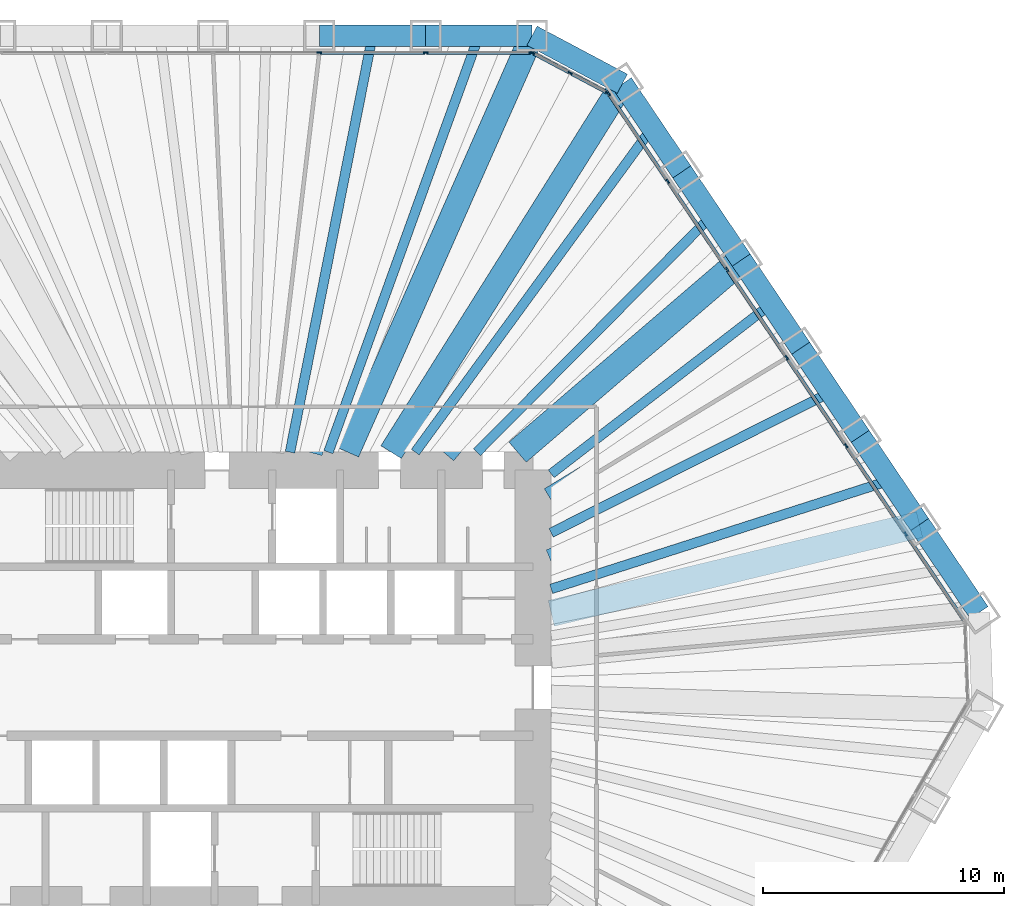
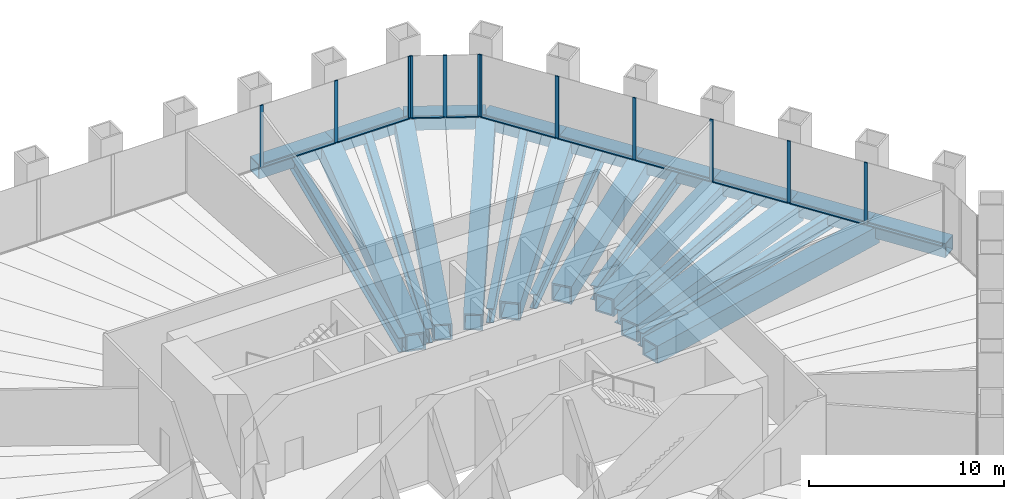
# One storey, part 7 of 13: 24 beams, 22 members, 3 elements without a shape of their own.
"""IFC4 building model written with IfcOpenShell, lengths in metres."""

from ifc_helpers import new_model, si_unit, direction, frame, origin, origin_2d, place, context, subcontext, project, spatial, rectangle, hollow_rectangle, i_section, extrude, material, material_profile, profile_set, type_object, element, aggregate, save


model = new_model("IFC4")

# Units and contexts
model_context = context("Model", 3, precision=1e-05, world=origin(), true_north=direction((0.0, 1.0)))
body_context = subcontext(model_context, "Body", "Model", "MODEL_VIEW")
ifc_project = project(units=[si_unit("LENGTHUNIT", "METRE"), si_unit("AREAUNIT", "SQUARE_METRE"), si_unit("VOLUMEUNIT", "CUBIC_METRE"), si_unit("PLANEANGLEUNIT", "RADIAN"), si_unit("MASSUNIT", "GRAM", prefix="KILO")], contexts=[model_context])

# Site, building, storey
site_placement = place(None, origin())
site = spatial("IfcSite", under=ifc_project, at=site_placement, CompositionType="ELEMENT")
building_placement = place(site_placement, origin())
building = spatial("IfcBuilding", under=site, at=building_placement, Name="Qingtian Harvest Tower", CompositionType="ELEMENT")
storey_placement = place(building_placement, frame((0.0, 0.0, 92.0)))
storey = spatial("IfcBuildingStorey", under=building, at=storey_placement, Name="L18", CompositionType="ELEMENT", Elevation=92.0)

# Beams
ifc_material_1 = material(Name="Steel SN490B", Category="steel")
ifc_material_profile_1 = material_profile(ifc_material_1, i_section(OverallWidth=0.39990234375, OverallDepth=0.89990234375, WebThickness=0.01904296875, FlangeThickness=0.035888671875, at=origin_2d()), Name="H900x400x19x36")
ifc_profile_set_1 = profile_set([ifc_material_profile_1], Name="Steel SN490B")
beam_type_1 = type_object("IfcBeamType", Name="Floor joist J4 H900x400x19x36", PredefinedType="JOIST", material=ifc_profile_set_1)
beam_1_placement = place(storey_placement, frame((5.349365234375, 27.0, -0.64990234375), z_axis=(-0.19435104803, -0.980932041545, 0.0), x_axis=(0.980932041545, -0.19435104803, 0.0)))
element("IfcBeam", 1, at=beam_1_placement, inside=storey, type_object=beam_type_1, Name="Floor joist J4 N4", PredefinedType="JOIST", context=body_context, shape_type="SweptSolid", body=[
    extrude(i_section(OverallWidth=0.39990234375, OverallDepth=0.89990234375, WebThickness=0.01904296875, FlangeThickness=0.035888671875, at=origin_2d()), origin(), (0.0, 0.0, 1.0), 17.585205078125),
])
beam_2_placement = place(storey_placement, frame((9.75390625, 27.0, -0.64990234375), z_axis=(-0.339766141765, -0.940509951521, 0.0), x_axis=(0.940509951521, -0.339766141765, 0.0)))
element("IfcBeam", 2, at=beam_2_placement, inside=storey, type_object=beam_type_1, Name="Floor joist J4 N5", PredefinedType="JOIST", context=body_context, shape_type="SweptSolid", body=[
    extrude(i_section(OverallWidth=0.39990234375, OverallDepth=0.89990234375, WebThickness=0.01904296875, FlangeThickness=0.035888671875, at=origin_2d()), origin(), (0.0, 0.0, 1.0), 18.341064453125),
])
beam_3_placement = place(storey_placement, frame((16.9296875, 23.1845703125, -0.64990234375), z_axis=(-0.589722175422, -0.80760618857, 0.0), x_axis=(0.80760618857, -0.589722175422, 0.0)))
element("IfcBeam", 3, at=beam_3_placement, inside=storey, type_object=beam_type_1, Name="Floor joist J4 NE0", PredefinedType="JOIST", context=body_context, shape_type="SweptSolid", body=[
    extrude(i_section(OverallWidth=0.39990234375, OverallDepth=0.89990234375, WebThickness=0.01904296875, FlangeThickness=0.035888671875, at=origin_2d()), origin(), (0.0, 0.0, 1.0), 16.635009765625),
])
beam_4_placement = place(storey_placement, frame((19.392822265625, 19.532958984375, -0.64990234375), z_axis=(-0.704560879039, -0.709643549768, 0.0), x_axis=(0.709643549768, -0.704560879039, 0.0)))
element("IfcBeam", 4, at=beam_4_placement, inside=storey, type_object=beam_type_1, Name="Floor joist J4 NE1", PredefinedType="JOIST", context=body_context, shape_type="SweptSolid", body=[
    extrude(i_section(OverallWidth=0.39990234375, OverallDepth=0.89990234375, WebThickness=0.01904296875, FlangeThickness=0.035888671875, at=origin_2d()), origin(), (0.0, 0.0, 1.0), 13.78564453125),
])
beam_5_placement = place(storey_placement, frame((21.855712890625, 15.88134765625, -0.64990234375), z_axis=(-0.79149450594, -0.611176281499, 0.0), x_axis=(0.611176281499, -0.79149450594, 0.0)))
element("IfcBeam", 5, at=beam_5_placement, inside=storey, type_object=beam_type_1, Name="Floor joist J4 NE2", PredefinedType="JOIST", context=body_context, shape_type="SweptSolid", body=[
    extrude(i_section(OverallWidth=0.39990234375, OverallDepth=0.89990234375, WebThickness=0.01904296875, FlangeThickness=0.035888671875, at=origin_2d()), origin(), (0.0, 0.0, 1.0), 11.50439453125),
])
beam_6_placement = place(storey_placement, frame((24.31884765625, 12.229736328125, -0.64990234375), z_axis=(-0.893391632689, -0.449278744924, 0.0), x_axis=(0.449278744924, -0.893391632689, 0.0)))
element("IfcBeam", 6, at=beam_6_placement, inside=storey, type_object=beam_type_1, Name="Floor joist J4 NE3", PredefinedType="JOIST", context=body_context, shape_type="SweptSolid", body=[
    extrude(i_section(OverallWidth=0.39990234375, OverallDepth=0.89990234375, WebThickness=0.01904296875, FlangeThickness=0.035888671875, at=origin_2d()), origin(), (0.0, 0.0, 1.0), 12.949462890625),
])
beam_7_placement = place(storey_placement, frame((26.78173828125, 8.578125, -0.64990234375), z_axis=(-0.952340804978, -0.305036048976, 0.0), x_axis=(0.305036048976, -0.952340804978, 0.0)))
element("IfcBeam", 7, at=beam_7_placement, inside=storey, type_object=beam_type_1, Name="Floor joist J4 NE4", PredefinedType="JOIST", context=body_context, shape_type="SweptSolid", body=[
    extrude(i_section(OverallWidth=0.39990234375, OverallDepth=0.89990234375, WebThickness=0.01904296875, FlangeThickness=0.035888671875, at=origin_2d()), origin(), (0.0, 0.0, 1.0), 14.73388671875),
])

# Curtain wall, members
ifc_material_2 = material(Name="Bronze-anodised aluminium curtain wall", Category="aluminium")
curtain_wall_type = type_object("IfcCurtainWallType", Name="Curtain wall CW2 farm reception", PredefinedType="USERDEFINED", material=ifc_material_2)
curtain_wall_1_placement = place(storey_placement, origin())
curtain_wall_1 = element("IfcCurtainWall", 8, at=curtain_wall_1_placement, inside=storey, type_object=curtain_wall_type, Name="Curtain wall CW2 L18 N0-5", ObjectType="RECESSED CURTAIN WALL", PredefinedType="USERDEFINED")
ifc_material_3 = material(Name="Bronze-anodised aluminium mullion", Category="aluminium")
ifc_material_profile_2 = material_profile(ifc_material_3, rectangle(XDim=0.06494140625, YDim=0.199951171875, at=origin_2d()), Name="AL 65x200")
ifc_profile_set_2 = profile_set([ifc_material_profile_2], Name="Bronze-anodised aluminium mullion")
member_type_1 = type_object("IfcMemberType", Name="Mullion CWM 65x200", PredefinedType="MULLION", material=ifc_profile_set_2)
member_1_placement = place(storey_placement, frame((3.14697265625, 26.300048828125, 0.0), z_axis=(0.0, 0.0, 1.0), x_axis=(0.0, 1.0, 0.0)))
member_1 = element("IfcMember", 9, at=member_1_placement, type_object=member_type_1, Name="CW2 mullion 5", PredefinedType="MULLION", context=body_context, shape_type="SweptSolid", body=[
    extrude(rectangle(XDim=0.06494140625, YDim=0.199951171875, at=origin_2d()), origin(), (0.0, 0.0, 1.0), 3.89990234375),
])
member_2_placement = place(storey_placement, frame((7.551513671875, 26.300048828125, 0.0), z_axis=(0.0, 0.0, 1.0), x_axis=(0.0, 1.0, 0.0)))
member_2 = element("IfcMember", 10, at=member_2_placement, type_object=member_type_1, Name="CW2 mullion 6", PredefinedType="MULLION", context=body_context, shape_type="SweptSolid", body=[
    extrude(rectangle(XDim=0.06494140625, YDim=0.199951171875, at=origin_2d()), origin(), (0.0, 0.0, 1.0), 3.89990234375),
])
member_3_placement = place(storey_placement, frame((11.923583984375, 26.300048828125, 0.0), z_axis=(0.0, 0.0, 1.0), x_axis=(0.0, 1.0, 0.0)))
member_3 = element("IfcMember", 11, at=member_3_placement, type_object=member_type_1, Name="CW2 mullion 7", PredefinedType="MULLION", context=body_context, shape_type="SweptSolid", body=[
    extrude(rectangle(XDim=0.06494140625, YDim=0.199951171875, at=origin_2d()), origin(), (0.0, 0.0, 1.0), 3.89990234375),
])

curtain_wall_2_placement = place(storey_placement, origin())
curtain_wall_2 = element("IfcCurtainWall", 12, at=curtain_wall_2_placement, inside=storey, type_object=curtain_wall_type, Name="Curtain wall CW2 L18 NC", ObjectType="RECESSED CURTAIN WALL", PredefinedType="USERDEFINED")
member_4_placement = place(storey_placement, frame((11.98486328125, 26.28466796875, 0.0), z_axis=(0.0, 0.0, 1.0), x_axis=(0.469471562786, 0.882947592859, 0.0)))
member_4 = element("IfcMember", 13, at=member_4_placement, type_object=member_type_1, Name="CW2 mullion 1", PredefinedType="MULLION", context=body_context, shape_type="SweptSolid", body=[
    extrude(rectangle(XDim=0.06494140625, YDim=0.199951171875, at=origin_2d()), origin(), (0.0, 0.0, 1.0), 3.89990234375),
])
member_5_placement = place(storey_placement, frame((13.537109375, 25.45947265625, 0.0), z_axis=(0.0, 0.0, 1.0), x_axis=(0.469471562786, 0.882947592859, 0.0)))
member_5 = element("IfcMember", 14, at=member_5_placement, type_object=member_type_1, Name="CW2 mullion 2", PredefinedType="MULLION", context=body_context, shape_type="SweptSolid", body=[
    extrude(rectangle(XDim=0.06494140625, YDim=0.199951171875, at=origin_2d()), origin(), (0.0, 0.0, 1.0), 3.89990234375),
])
member_6_placement = place(storey_placement, frame((15.089111328125, 24.634033203125, 0.0), z_axis=(0.0, 0.0, 1.0), x_axis=(0.469471562786, 0.882947592859, 0.0)))
member_6 = element("IfcMember", 15, at=member_6_placement, type_object=member_type_1, Name="CW2 mullion 3", PredefinedType="MULLION", context=body_context, shape_type="SweptSolid", body=[
    extrude(rectangle(XDim=0.06494140625, YDim=0.199951171875, at=origin_2d()), origin(), (0.0, 0.0, 1.0), 3.89990234375),
])

curtain_wall_3_placement = place(storey_placement, origin())
curtain_wall_3 = element("IfcCurtainWall", 16, at=curtain_wall_3_placement, inside=storey, type_object=curtain_wall_type, Name="Curtain wall CW2 L18 NE0-5", ObjectType="RECESSED CURTAIN WALL", PredefinedType="USERDEFINED")
member_7_placement = place(storey_placement, frame((15.135986328125, 24.592041015625, 0.0), z_axis=(0.0, 0.0, 1.0), x_axis=(0.829037572555, 0.559192903471, 0.0)))
member_7 = element("IfcMember", 17, at=member_7_placement, type_object=member_type_1, Name="CW2 mullion 1", PredefinedType="MULLION", context=body_context, shape_type="SweptSolid", body=[
    extrude(rectangle(XDim=0.06494140625, YDim=0.199951171875, at=origin_2d()), origin(), (0.0, 0.0, 1.0), 3.89990234375),
])
member_8_placement = place(storey_placement, frame((17.580810546875, 20.96728515625, 0.0), z_axis=(0.0, 0.0, 1.0), x_axis=(0.829037572555, 0.559192903471, 0.0)))
member_8 = element("IfcMember", 18, at=member_8_placement, type_object=member_type_1, Name="CW2 mullion 2", PredefinedType="MULLION", context=body_context, shape_type="SweptSolid", body=[
    extrude(rectangle(XDim=0.06494140625, YDim=0.199951171875, at=origin_2d()), origin(), (0.0, 0.0, 1.0), 3.89990234375),
])
member_9_placement = place(storey_placement, frame((20.0439453125, 17.315673828125, 0.0), z_axis=(0.0, 0.0, 1.0), x_axis=(0.829037572555, 0.559192903471, 0.0)))
member_9 = element("IfcMember", 19, at=member_9_placement, type_object=member_type_1, Name="CW2 mullion 3", PredefinedType="MULLION", context=body_context, shape_type="SweptSolid", body=[
    extrude(rectangle(XDim=0.06494140625, YDim=0.199951171875, at=origin_2d()), origin(), (0.0, 0.0, 1.0), 3.89990234375),
])
member_10_placement = place(storey_placement, frame((22.507080078125, 13.6640625, 0.0), z_axis=(0.0, 0.0, 1.0), x_axis=(0.829037572555, 0.559192903471, 0.0)))
member_10 = element("IfcMember", 20, at=member_10_placement, type_object=member_type_1, Name="CW2 mullion 4", PredefinedType="MULLION", context=body_context, shape_type="SweptSolid", body=[
    extrude(rectangle(XDim=0.06494140625, YDim=0.199951171875, at=origin_2d()), origin(), (0.0, 0.0, 1.0), 3.89990234375),
])
member_11_placement = place(storey_placement, frame((24.969970703125, 10.012451171875, 0.0), z_axis=(0.0, 0.0, 1.0), x_axis=(0.829037572555, 0.559192903471, 0.0)))
member_11 = element("IfcMember", 21, at=member_11_placement, type_object=member_type_1, Name="CW2 mullion 5", PredefinedType="MULLION", context=body_context, shape_type="SweptSolid", body=[
    extrude(rectangle(XDim=0.06494140625, YDim=0.199951171875, at=origin_2d()), origin(), (0.0, 0.0, 1.0), 3.89990234375),
])
member_12_placement = place(storey_placement, frame((27.43310546875, 6.36083984375, 0.0), z_axis=(0.0, 0.0, 1.0), x_axis=(0.829037572555, 0.559192903471, 0.0)))
member_12 = element("IfcMember", 22, at=member_12_placement, type_object=member_type_1, Name="CW2 mullion 6", PredefinedType="MULLION", context=body_context, shape_type="SweptSolid", body=[
    extrude(rectangle(XDim=0.06494140625, YDim=0.199951171875, at=origin_2d()), origin(), (0.0, 0.0, 1.0), 3.89990234375),
])

# Beams
ifc_material_4 = material(Name="Steel SM570MC", Category="steel")
ifc_material_profile_3 = material_profile(ifc_material_4, hollow_rectangle(XDim=1.0, YDim=1.0, WallThickness=0.080078125, at=origin_2d()), Name="BOX1000x1000x80")
ifc_profile_set_3 = profile_set([ifc_material_profile_3], Name="Steel SM570MC")
beam_type_2 = type_object("IfcBeamType", Name="Transfer corner beam FB11 BOX1000x1000x80", PredefinedType="BEAM", material=ifc_profile_set_3)
beam_8_placement = place(storey_placement, frame((11.9560546875, 27.0, -0.699951171875), z_axis=(-0.404898955654, -0.914361436036, 0.0), x_axis=(0.914361436036, -0.404898955654, 0.0)))
element("IfcBeam", 23, at=beam_8_placement, inside=storey, type_object=beam_type_2, Name="Floor beam FB11 N6", PredefinedType="BEAM", context=body_context, shape_type="SweptSolid", body=[
    extrude(hollow_rectangle(XDim=1.0, YDim=1.0, WallThickness=0.080078125, at=origin_2d()), origin(), (0.0, 0.0, 1.0), 18.86572265625),
])
beam_9_placement = place(storey_placement, frame((15.6982421875, 25.01025390625, -0.699951171875), z_axis=(-0.531622796942, -0.846981228701, 0.0), x_axis=(0.846981228701, -0.531622796942, 0.0)))
element("IfcBeam", 24, at=beam_9_placement, inside=storey, type_object=beam_type_2, Name="Floor beam FB11 NE0", PredefinedType="BEAM", context=body_context, shape_type="SweptSolid", body=[
    extrude(hollow_rectangle(XDim=1.0, YDim=1.0, WallThickness=0.080078125, at=origin_2d()), origin(), (0.0, 0.0, 1.0), 18.017333984375),
])
ifc_material_5 = material(Name="Steel SM570MC", Category="steel")
ifc_material_profile_4 = material_profile(ifc_material_5, hollow_rectangle(XDim=1.10009765625, YDim=1.10009765625, WallThickness=0.10009765625, at=origin_2d()), Name="BOX1100x1100x100")
ifc_profile_set_4 = profile_set([ifc_material_profile_4], Name="Steel SM570MC")
beam_type_3 = type_object("IfcBeamType", Name="Transfer floor beam FB9 BOX1100x1100x100", PredefinedType="BEAM", material=ifc_profile_set_4)
beam_10_placement = place(storey_placement, frame((7.551513671875, 27.0, -0.75), z_axis=(-0.269343258019, -0.963044240604, 0.0), x_axis=(0.963044240604, -0.269343258019, 0.0)))
element("IfcBeam", 25, at=beam_10_placement, inside=storey, type_object=beam_type_3, Name="Floor beam FB9 N5", PredefinedType="BEAM", context=body_context, shape_type="SweptSolid", body=[
    extrude(hollow_rectangle(XDim=1.10009765625, YDim=1.10009765625, WallThickness=0.10009765625, at=origin_2d()), origin(), (0.0, 0.0, 1.0), 17.911865234375),
])
beam_11_placement = place(storey_placement, frame((18.1611328125, 21.358642578125, -0.75), z_axis=(-0.647781887327, -0.761825850474, 0.0), x_axis=(0.761825850474, -0.647781887327, 0.0)))
element("IfcBeam", 26, at=beam_11_placement, inside=storey, type_object=beam_type_3, Name="Floor beam FB9 NE1", PredefinedType="BEAM", context=body_context, shape_type="SweptSolid", body=[
    extrude(hollow_rectangle(XDim=1.10009765625, YDim=1.10009765625, WallThickness=0.10009765625, at=origin_2d()), origin(), (0.0, 0.0, 1.0), 15.238037109375),
])
beam_12_placement = place(storey_placement, frame((20.624267578125, 17.70703125, -0.75), z_axis=(-0.75873153072, -0.651403457384, 0.0), x_axis=(0.651403457384, -0.75873153072, 0.0)))
element("IfcBeam", 27, at=beam_12_placement, inside=storey, type_object=beam_type_3, Name="Floor beam FB9 NE2", PredefinedType="BEAM", context=body_context, shape_type="SweptSolid", body=[
    extrude(hollow_rectangle(XDim=1.10009765625, YDim=1.10009765625, WallThickness=0.10009765625, at=origin_2d()), origin(), (0.0, 0.0, 1.0), 12.21533203125),
])
beam_13_placement = place(storey_placement, frame((23.08740234375, 14.0556640625, -0.75), z_axis=(-0.854157261259, -0.520014781558, 0.0), x_axis=(0.520014781558, -0.854157261259, 0.0)))
element("IfcBeam", 28, at=beam_13_placement, inside=storey, type_object=beam_type_3, Name="Floor beam FB9 NE3", PredefinedType="BEAM", context=body_context, shape_type="SweptSolid", body=[
    extrude(hollow_rectangle(XDim=1.10009765625, YDim=1.10009765625, WallThickness=0.10009765625, at=origin_2d()), origin(), (0.0, 0.0, 1.0), 12.1025390625),
])
beam_14_placement = place(storey_placement, frame((25.55029296875, 10.404052734375, -0.75), z_axis=(-0.926156354735, -0.37713977062, 0.0), x_axis=(0.37713977062, -0.926156354735, 0.0)))
element("IfcBeam", 29, at=beam_14_placement, inside=storey, type_object=beam_type_3, Name="Floor beam FB9 NE4", PredefinedType="BEAM", context=body_context, shape_type="SweptSolid", body=[
    extrude(hollow_rectangle(XDim=1.10009765625, YDim=1.10009765625, WallThickness=0.10009765625, at=origin_2d()), origin(), (0.0, 0.0, 1.0), 13.82080078125),
])
beam_15_placement = place(storey_placement, frame((28.013427734375, 6.75244140625, -0.75), z_axis=(-0.972155908389, -0.234334994792, 0.0), x_axis=(0.234334994792, -0.972155908389, 0.0)))
element("IfcBeam", 30, at=beam_15_placement, inside=storey, type_object=beam_type_3, Name="Floor beam FB9 NE5", PredefinedType="BEAM", context=body_context, shape_type="SweptSolid", body=[
    extrude(hollow_rectangle(XDim=1.10009765625, YDim=1.10009765625, WallThickness=0.10009765625, at=origin_2d()), origin(), (0.0, 0.0, 1.0), 15.70068359375),
])
ifc_material_6 = material(Name="Steel SM570MC", Category="steel")
ifc_material_profile_5 = material_profile(ifc_material_6, hollow_rectangle(XDim=0.89990234375, YDim=0.89990234375, WallThickness=0.050048828125, at=origin_2d()), Name="BOX900x900x50")
ifc_profile_set_5 = profile_set([ifc_material_profile_5], Name="Steel SM570MC")
beam_type_4 = type_object("IfcBeamType", Name="Transition spandrel SB6 BOX900x900x50", PredefinedType="SPANDREL", material=ifc_profile_set_5)
for number, where, z_axis, x_axis, name in (
    (31, (3.14697265625, 27.0, -0.449951171875), (1.0, 0.0, 0.0), (0.0, 1.0, 0.0), "Spandrel SB6 N4"),
    (32, (7.551513671875, 27.0, -0.449951171875), (1.0, 0.0, 0.0), (0.0, 1.0, 0.0), "Spandrel SB6 N5"),
):
    element("IfcBeam", number, at=place(storey_placement, frame(where, z_axis=z_axis, x_axis=x_axis)), inside=storey, type_object=beam_type_4, Name=name, PredefinedType="SPANDREL", context=body_context, shape_type="SweptSolid", body=[
        extrude(hollow_rectangle(XDim=0.89990234375, YDim=0.89990234375, WallThickness=0.050048828125, at=origin_2d()), origin(), (0.0, 0.0, 1.0), 4.404541015625),
    ])
beam_16_placement = place(storey_placement, frame((11.9560546875, 27.0, -0.449951171875), z_axis=(0.882948599748, -0.469469669099, 0.0), x_axis=(0.469469669099, 0.882948599748, 0.0)))
element("IfcBeam", 33, at=beam_16_placement, inside=storey, type_object=beam_type_4, Name="Spandrel SB6 NC", PredefinedType="SPANDREL", context=body_context, shape_type="SweptSolid", body=[
    extrude(hollow_rectangle(XDim=0.89990234375, YDim=0.89990234375, WallThickness=0.050048828125, at=origin_2d()), origin(), (0.0, 0.0, 1.0), 4.23828125),
])
beam_17_placement = place(storey_placement, frame((15.6982421875, 25.01025390625, -0.449951171875), z_axis=(0.559169135272, -0.829053603912, 0.0), x_axis=(0.829053603912, 0.559169135272, 0.0)))
element("IfcBeam", 34, at=beam_17_placement, inside=storey, type_object=beam_type_4, Name="Spandrel SB6 NE0", PredefinedType="SPANDREL", context=body_context, shape_type="SweptSolid", body=[
    extrude(hollow_rectangle(XDim=0.89990234375, YDim=0.89990234375, WallThickness=0.050048828125, at=origin_2d()), origin(), (0.0, 0.0, 1.0), 4.404541015625),
])
beam_18_placement = place(storey_placement, frame((18.1611328125, 21.358642578125, -0.449951171875), z_axis=(0.559207231603, -0.829027907928, 0.0), x_axis=(0.829027907928, 0.559207231603, 0.0)))
element("IfcBeam", 35, at=beam_18_placement, inside=storey, type_object=beam_type_4, Name="Spandrel SB6 NE1", PredefinedType="SPANDREL", context=body_context, shape_type="SweptSolid", body=[
    extrude(hollow_rectangle(XDim=0.89990234375, YDim=0.89990234375, WallThickness=0.050048828125, at=origin_2d()), origin(), (0.0, 0.0, 1.0), 4.40478515625),
])
for number, where, z_axis, x_axis, name in (
    (36, (20.624267578125, 17.70703125, -0.449951171875), (0.559232928578, -0.829010573874, 0.0), (0.829010573874, 0.559232928578, 0.0), "Spandrel SB6 NE2"),
    (37, (23.08740234375, 14.0556640625, -0.449951171875), (0.559169135272, -0.829053603912, 0.0), (0.829053603912, 0.559169135272, 0.0), "Spandrel SB6 NE3"),
):
    element("IfcBeam", number, at=place(storey_placement, frame(where, z_axis=z_axis, x_axis=x_axis)), inside=storey, type_object=beam_type_4, Name=name, PredefinedType="SPANDREL", context=body_context, shape_type="SweptSolid", body=[
        extrude(hollow_rectangle(XDim=0.89990234375, YDim=0.89990234375, WallThickness=0.050048828125, at=origin_2d()), origin(), (0.0, 0.0, 1.0), 4.404541015625),
    ])
beam_19_placement = place(storey_placement, frame((25.55029296875, 10.404052734375, -0.449951171875), z_axis=(0.559207231603, -0.829027907928, 0.0), x_axis=(0.829027907928, 0.559207231603, 0.0)))
element("IfcBeam", 38, at=beam_19_placement, inside=storey, type_object=beam_type_4, Name="Spandrel SB6 NE4", PredefinedType="SPANDREL", context=body_context, shape_type="SweptSolid", body=[
    extrude(hollow_rectangle(XDim=0.89990234375, YDim=0.89990234375, WallThickness=0.050048828125, at=origin_2d()), origin(), (0.0, 0.0, 1.0), 4.40478515625),
])
beam_20_placement = place(storey_placement, frame((28.013427734375, 6.75244140625, -0.449951171875), z_axis=(0.559169135272, -0.829053603912, 0.0), x_axis=(0.829053603912, 0.559169135272, 0.0)))
element("IfcBeam", 39, at=beam_20_placement, inside=storey, type_object=beam_type_4, Name="Spandrel SB6 NE5", PredefinedType="SPANDREL", context=body_context, shape_type="SweptSolid", body=[
    extrude(hollow_rectangle(XDim=0.89990234375, YDim=0.89990234375, WallThickness=0.050048828125, at=origin_2d()), origin(), (0.0, 0.0, 1.0), 4.404541015625),
])

# Member
ifc_material_7 = material(Name="Bronze-anodised aluminium transom", Category="aluminium")
ifc_material_profile_6 = material_profile(ifc_material_7, rectangle(XDim=0.14990234375, YDim=0.06494140625, at=origin_2d()), Name="AL 65x150")
ifc_profile_set_6 = profile_set([ifc_material_profile_6], Name="Bronze-anodised aluminium transom")
member_type_2 = type_object("IfcMemberType", Name="Transom CWT 65x150", PredefinedType="USERDEFINED", material=ifc_profile_set_6)
member_13_placement = place(storey_placement, frame((3.179443359375, 26.300048828125, 0.032470703125), z_axis=(1.0, 0.0, 0.0), x_axis=(0.0, 1.0, 0.0)))
member_13 = element("IfcMember", 40, at=member_13_placement, type_object=member_type_2, Name="CW2 transom 5.1", ObjectType="TRANSOM", PredefinedType="USERDEFINED", context=body_context, shape_type="SweptSolid", body=[
    extrude(rectangle(XDim=0.14990234375, YDim=0.06494140625, at=origin_2d()), origin(), (0.0, 0.0, 1.0), 4.339599609375),
])

member_14_placement = place(storey_placement, frame((7.583984375, 26.300048828125, 0.032470703125), z_axis=(1.0, 0.0, 0.0), x_axis=(0.0, 1.0, 0.0)))
member_14 = element("IfcMember", 41, at=member_14_placement, type_object=member_type_2, Name="CW2 transom 6.1", ObjectType="TRANSOM", PredefinedType="USERDEFINED", context=body_context, shape_type="SweptSolid", body=[
    extrude(rectangle(XDim=0.14990234375, YDim=0.06494140625, at=origin_2d()), origin(), (0.0, 0.0, 1.0), 4.30712890625),
])

aggregate(curtain_wall_1, [member_1, member_2, member_3, member_13, member_14])

member_15_placement = place(storey_placement, frame((12.013427734375, 26.26953125, 0.032470703125), z_axis=(0.882927080927, -0.469510138086, 0.0), x_axis=(0.469510138086, 0.882927080927, 0.0)))
member_15 = element("IfcMember", 42, at=member_15_placement, type_object=member_type_2, Name="CW2 transom 1.1", ObjectType="TRANSOM", PredefinedType="USERDEFINED", context=body_context, shape_type="SweptSolid", body=[
    extrude(rectangle(XDim=0.14990234375, YDim=0.06494140625, at=origin_2d()), origin(), (0.0, 0.0, 1.0), 1.693115234375),
])

member_16_placement = place(storey_placement, frame((13.565673828125, 25.444091796875, 0.032470703125), z_axis=(0.882986854304, -0.469397715297, 0.0), x_axis=(0.469397715297, 0.882986854304, 0.0)))
member_16 = element("IfcMember", 43, at=member_16_placement, type_object=member_type_2, Name="CW2 transom 2.1", ObjectType="TRANSOM", PredefinedType="USERDEFINED", context=body_context, shape_type="SweptSolid", body=[
    extrude(rectangle(XDim=0.14990234375, YDim=0.06494140625, at=origin_2d()), origin(), (0.0, 0.0, 1.0), 1.69287109375),
])

aggregate(curtain_wall_2, [member_4, member_5, member_6, member_15, member_16])

member_17_placement = place(storey_placement, frame((15.154296875, 24.56494140625, 0.032470703125), z_axis=(0.559178817275, -0.82904707364, 0.0), x_axis=(0.82904707364, 0.559178817275, 0.0)))
member_17 = element("IfcMember", 44, at=member_17_placement, type_object=member_type_2, Name="CW2 transom 1.1", ObjectType="TRANSOM", PredefinedType="USERDEFINED", context=body_context, shape_type="SweptSolid", body=[
    extrude(rectangle(XDim=0.14990234375, YDim=0.06494140625, at=origin_2d()), origin(), (0.0, 0.0, 1.0), 4.30712890625),
])

member_18_placement = place(storey_placement, frame((17.59912109375, 20.9404296875, 0.032470703125), z_axis=(0.559210013199, -0.82902603164, 0.0), x_axis=(0.82902603164, 0.559210013199, 0.0)))
member_18 = element("IfcMember", 45, at=member_18_placement, type_object=member_type_2, Name="CW2 transom 2.1", ObjectType="TRANSOM", PredefinedType="USERDEFINED", context=body_context, shape_type="SweptSolid", body=[
    extrude(rectangle(XDim=0.14990234375, YDim=0.06494140625, at=origin_2d()), origin(), (0.0, 0.0, 1.0), 4.339599609375),
])

member_19_placement = place(storey_placement, frame((20.06201171875, 17.288818359375, 0.032470703125), z_axis=(0.559210013199, -0.82902603164, 0.0), x_axis=(0.82902603164, 0.559210013199, 0.0)))
member_19 = element("IfcMember", 46, at=member_19_placement, type_object=member_type_2, Name="CW2 transom 3.1", ObjectType="TRANSOM", PredefinedType="USERDEFINED", context=body_context, shape_type="SweptSolid", body=[
    extrude(rectangle(XDim=0.14990234375, YDim=0.06494140625, at=origin_2d()), origin(), (0.0, 0.0, 1.0), 4.339599609375),
])

member_20_placement = place(storey_placement, frame((22.525146484375, 13.63720703125, 0.032470703125), z_axis=(0.559210013199, -0.82902603164, 0.0), x_axis=(0.82902603164, 0.559210013199, 0.0)))
member_20 = element("IfcMember", 47, at=member_20_placement, type_object=member_type_2, Name="CW2 transom 4.1", ObjectType="TRANSOM", PredefinedType="USERDEFINED", context=body_context, shape_type="SweptSolid", body=[
    extrude(rectangle(XDim=0.14990234375, YDim=0.06494140625, at=origin_2d()), origin(), (0.0, 0.0, 1.0), 4.339599609375),
])

member_21_placement = place(storey_placement, frame((24.98828125, 9.985595703125, 0.032470703125), z_axis=(0.559171345763, -0.829052113005, 0.0), x_axis=(0.829052113005, 0.559171345763, 0.0)))
member_21 = element("IfcMember", 48, at=member_21_placement, type_object=member_type_2, Name="CW2 transom 5.1", ObjectType="TRANSOM", PredefinedType="USERDEFINED", context=body_context, shape_type="SweptSolid", body=[
    extrude(rectangle(XDim=0.14990234375, YDim=0.06494140625, at=origin_2d()), origin(), (0.0, 0.0, 1.0), 4.339599609375),
])

member_22_placement = place(storey_placement, frame((27.451171875, 6.333984375, 0.032470703125), z_axis=(0.559178817275, -0.82904707364, 0.0), x_axis=(0.82904707364, 0.559178817275, 0.0)))
member_22 = element("IfcMember", 49, at=member_22_placement, type_object=member_type_2, Name="CW2 transom 6.1", ObjectType="TRANSOM", PredefinedType="USERDEFINED", context=body_context, shape_type="SweptSolid", body=[
    extrude(rectangle(XDim=0.14990234375, YDim=0.06494140625, at=origin_2d()), origin(), (0.0, 0.0, 1.0), 4.30712890625),
])

aggregate(curtain_wall_3, [member_7, member_8, member_9, member_10, member_11, member_12, member_17, member_18, member_19, member_20, member_21, member_22])

save(model, "model.ifc")
